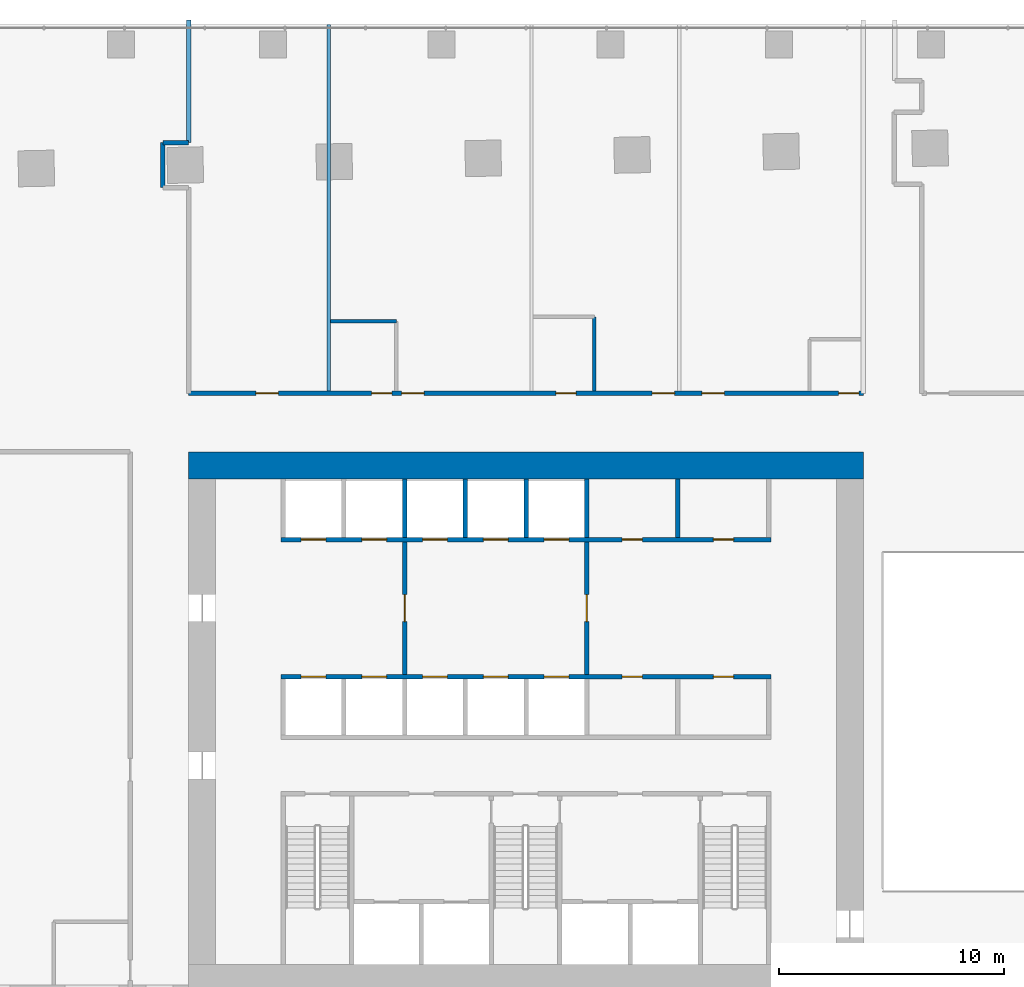
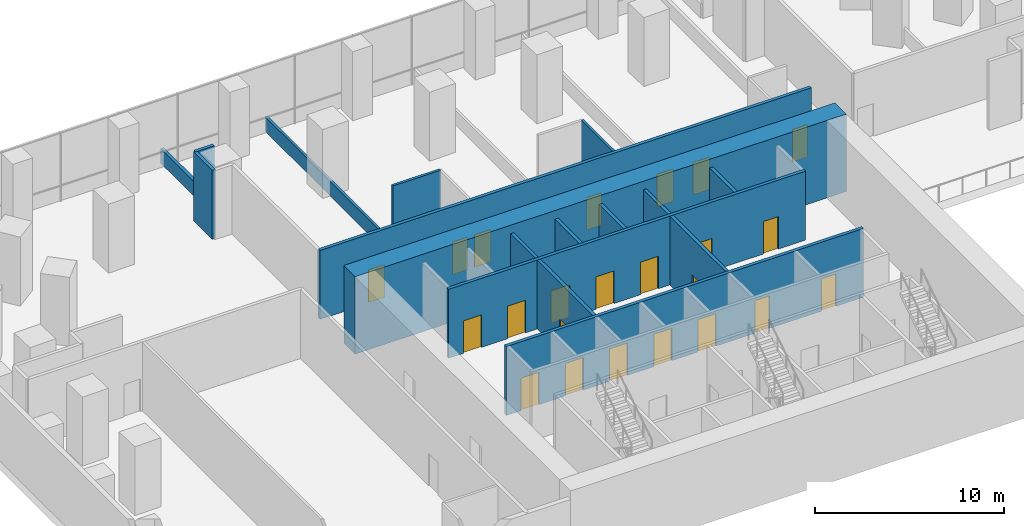
# One storey, part 8 of 12: 23 doors, 17 walls, 23 openings.
"""IFC4 building model written with IfcOpenShell, lengths in metres."""

from ifc_helpers import new_model, si_unit, direction, frame, frame_2d, origin, place, context, subcontext, project, spatial, rectangle, extrude, material, layer, layer_set, type_object, element, fill, save


model = new_model("IFC4")

# Units and contexts
model_context = context("Model", 3, precision=1e-05, world=origin(), true_north=direction((0.0, 1.0)))
body_context = subcontext(model_context, "Body", "Model", "MODEL_VIEW")
ifc_project = project(units=[si_unit("LENGTHUNIT", "METRE"), si_unit("AREAUNIT", "SQUARE_METRE"), si_unit("VOLUMEUNIT", "CUBIC_METRE"), si_unit("PLANEANGLEUNIT", "RADIAN"), si_unit("MASSUNIT", "GRAM", prefix="KILO")], contexts=[model_context])

# Site, building, storey
site_placement = place(None, origin())
site = spatial("IfcSite", under=ifc_project, at=site_placement, CompositionType="ELEMENT")
building_placement = place(site_placement, origin())
building = spatial("IfcBuilding", under=site, at=building_placement, Name="Mangrove Gate Tower", CompositionType="ELEMENT")
storey_placement = place(building_placement, frame((0.0, 0.0, 11.0)))
storey = spatial("IfcBuildingStorey", under=building, at=storey_placement, Name="L02", CompositionType="ELEMENT", Elevation=11.0)

# Wall, opening, door
ifc_material_1 = material(Name="Concrete C32/40", Category="concrete")
ifc_layer_1 = layer(ifc_material_1, 0.199951171875)
ifc_layer_set_1 = layer_set([ifc_layer_1], Name="Core lobby wall 200 C32/40")
wall_type_1 = type_object("IfcWallType", Name="Core lobby wall 200 C32/40", PredefinedType="STANDARD", material=ifc_layer_set_1)
wall_1_placement = place(storey_placement, frame((-5.39990234375, 2.10009765625, 0.0), z_axis=(0.0, 0.0, 1.0), x_axis=(0.0, 1.0, 0.0)))
wall_1 = element("IfcWall", 1, at=wall_1_placement, inside=storey, type_object=wall_type_1, Name="WALL-L02-CORE-35", PredefinedType="STANDARD", context=body_context, shape_type="SweptSolid", body=[
    extrude(rectangle(XDim=5.89990234375, YDim=0.199951171875, at=frame_2d((2.949951171875, 0.0))), origin(), (0.0, 0.0, 1.0), 4.449951171875),
])
opening_1_placement = place(wall_1_placement, frame((2.35009765625, 0.0, 0.0)))
opening_1 = element("IfcOpeningElement", 2, at=opening_1_placement, cuts=wall_1, Name="Opening FL12", PredefinedType="OPENING", context=body_context, shape_type="SweptSolid", body=[
    extrude(rectangle(XDim=1.199951171875, YDim=2.10009765625, at=frame_2d((0.60009765625, 1.050048828125))), frame((0.0, 0.10986328125, 0.0), z_axis=(0.0, -1.0, 0.0), x_axis=(1.0, 0.0, 0.0)), (0.0, 0.0, 1.0), 0.219970703125),
])
ifc_material_2 = material(Name="Fire-rated steel door set", Category="steel")
door_type_1 = type_object("IfcDoorType", Name="Lobby door FD60 1200x2100", OperationType="SINGLE_SWING_LEFT", PredefinedType="DOOR", material=ifc_material_2)
door_1_placement = place(opening_1_placement, origin())
door_1 = element("IfcDoor", 3, at=door_1_placement, inside=storey, type_object=door_type_1, Name="Lobby door lift lobby partition", OperationType="SINGLE_SWING_LEFT", OverallHeight=2.10009765625, OverallWidth=1.199951171875, PredefinedType="DOOR", context=body_context, shape_type="SweptSolid", body=[
    extrude(rectangle(XDim=1.199951171875, YDim=2.10009765625, at=frame_2d((0.60009765625, 1.050048828125))), frame((0.0, 0.02490234375, 0.0), z_axis=(0.0, -1.0, 0.0), x_axis=(1.0, 0.0, 0.0)), (0.0, 0.0, 1.0), 0.050048828125),
])
fill(opening_1, door_1)

wall_2_placement = place(storey_placement, frame((2.699951171875, 2.10009765625, 0.0), z_axis=(0.0, 0.0, 1.0), x_axis=(0.0, 1.0, 0.0)))
wall_2 = element("IfcWall", 4, at=wall_2_placement, inside=storey, type_object=wall_type_1, Name="WALL-L02-CORE-36", PredefinedType="STANDARD", context=body_context, shape_type="SweptSolid", body=[
    extrude(rectangle(XDim=5.89990234375, YDim=0.199951171875, at=frame_2d((2.949951171875, 0.0))), origin(), (0.0, 0.0, 1.0), 4.449951171875),
])
opening_2_placement = place(wall_2_placement, frame((2.35009765625, 0.0, 0.0)))
opening_2 = element("IfcOpeningElement", 5, at=opening_2_placement, cuts=wall_2, Name="Opening FL12", PredefinedType="OPENING", context=body_context, shape_type="SweptSolid", body=[
    extrude(rectangle(XDim=1.199951171875, YDim=2.10009765625, at=frame_2d((0.60009765625, 1.050048828125))), frame((0.0, 0.10986328125, 0.0), z_axis=(0.0, -1.0, 0.0), x_axis=(1.0, 0.0, 0.0)), (0.0, 0.0, 1.0), 0.219970703125),
])
door_2_placement = place(opening_2_placement, origin())
door_2 = element("IfcDoor", 6, at=door_2_placement, inside=storey, type_object=door_type_1, Name="Lobby door lift lobby partition", OperationType="SINGLE_SWING_LEFT", OverallHeight=2.10009765625, OverallWidth=1.199951171875, PredefinedType="DOOR", context=body_context, shape_type="SweptSolid", body=[
    extrude(rectangle(XDim=1.199951171875, YDim=2.10009765625, at=frame_2d((0.60009765625, 1.050048828125))), frame((0.0, 0.02490234375, 0.0), z_axis=(0.0, -1.0, 0.0), x_axis=(1.0, 0.0, 0.0)), (0.0, 0.0, 1.0), 0.050048828125),
])
fill(opening_2, door_2)

# Wall
ifc_material_3 = material(Name="Concrete C32/40", Category="concrete")
ifc_layer_2 = layer(ifc_material_3, 0.199951171875)
ifc_layer_set_2 = layer_set([ifc_layer_2], Name="Core room wall 200 C32/40")
wall_type_2 = type_object("IfcWallType", Name="Core room wall 200 C32/40", PredefinedType="STANDARD", material=ifc_layer_set_2)
wall_3_placement = place(storey_placement, frame((6.75, 8.199951171875, 0.0), z_axis=(0.0, 0.0, 1.0), x_axis=(0.0, 1.0, 0.0)))
element("IfcWall", 7, at=wall_3_placement, inside=storey, type_object=wall_type_2, Name="WALL-L02-CORE-33", PredefinedType="STANDARD", context=body_context, shape_type="SweptSolid", body=[
    extrude(rectangle(XDim=2.60009765625, YDim=0.199951171875, at=frame_2d((1.300048828125, 0.0))), origin(), (0.0, 0.0, 1.0), 4.449951171875),
])

# Wall, openings, doors
ifc_material_4 = material(Name="Concrete C70/85", Category="concrete")
ifc_layer_3 = layer(ifc_material_4, 0.199951171875)
ifc_layer_set_3 = layer_set([ifc_layer_3], Name="Core shaft wall 200 C70/85")
wall_type_3 = type_object("IfcWallType", Name="Core shaft wall 200 C70/85", PredefinedType="SHEAR", material=ifc_layer_set_3)
wall_4_placement = place(storey_placement, frame((-10.89990234375, 2.0, 0.0), z_axis=(0.0, 0.0, 1.0), x_axis=(1.0, 0.0, 0.0)))
wall_4 = element("IfcWall", 8, at=wall_4_placement, inside=storey, type_object=wall_type_3, Name="WALL-L02-CORE-7", PredefinedType="SHEAR", context=body_context, shape_type="SweptSolid", body=[
    extrude(rectangle(XDim=21.7998046875, YDim=0.199951171875, at=frame_2d((10.89990234375, 0.0))), origin(), (0.0, 0.0, 1.0), 4.449951171875),
])
opening_3_placement = place(wall_4_placement, frame((0.89990234375, 0.0, 0.0)))
opening_3 = element("IfcOpeningElement", 9, at=opening_3_placement, cuts=wall_4, Name="Opening LD", PredefinedType="OPENING", context=body_context, shape_type="SweptSolid", body=[
    extrude(rectangle(XDim=1.10009765625, YDim=2.10009765625, at=frame_2d((0.550048828125, 1.050048828125))), frame((0.0, 0.10986328125, 0.0), z_axis=(0.0, -1.0, 0.0), x_axis=(1.0, 0.0, 0.0)), (0.0, 0.0, 1.0), 0.219970703125),
])
opening_4_placement = place(wall_4_placement, frame((3.60009765625, 0.0, 0.0)))
opening_4 = element("IfcOpeningElement", 10, at=opening_4_placement, cuts=wall_4, Name="Opening LD", PredefinedType="OPENING", context=body_context, shape_type="SweptSolid", body=[
    extrude(rectangle(XDim=1.10009765625, YDim=2.10009765625, at=frame_2d((0.550048828125, 1.050048828125))), frame((0.0, 0.10986328125, 0.0), z_axis=(0.0, -1.0, 0.0), x_axis=(1.0, 0.0, 0.0)), (0.0, 0.0, 1.0), 0.219970703125),
])
opening_5_placement = place(wall_4_placement, frame((6.300048828125, 0.0, 0.0)))
opening_5 = element("IfcOpeningElement", 11, at=opening_5_placement, cuts=wall_4, Name="Opening LD", PredefinedType="OPENING", context=body_context, shape_type="SweptSolid", body=[
    extrude(rectangle(XDim=1.10009765625, YDim=2.10009765625, at=frame_2d((0.550048828125, 1.050048828125))), frame((0.0, 0.10986328125, 0.0), z_axis=(0.0, -1.0, 0.0), x_axis=(1.0, 0.0, 0.0)), (0.0, 0.0, 1.0), 0.219970703125),
])
opening_6_placement = place(wall_4_placement, frame((9.0, 0.0, 0.0)))
opening_6 = element("IfcOpeningElement", 12, at=opening_6_placement, cuts=wall_4, Name="Opening LD", PredefinedType="OPENING", context=body_context, shape_type="SweptSolid", body=[
    extrude(rectangle(XDim=1.10009765625, YDim=2.10009765625, at=frame_2d((0.550048828125, 1.050048828125))), frame((0.0, 0.10986328125, 0.0), z_axis=(0.0, -1.0, 0.0), x_axis=(1.0, 0.0, 0.0)), (0.0, 0.0, 1.0), 0.219970703125),
])
opening_7_placement = place(wall_4_placement, frame((11.699951171875, 0.0, 0.0)))
opening_7 = element("IfcOpeningElement", 13, at=opening_7_placement, cuts=wall_4, Name="Opening LD", PredefinedType="OPENING", context=body_context, shape_type="SweptSolid", body=[
    extrude(rectangle(XDim=1.10009765625, YDim=2.10009765625, at=frame_2d((0.550048828125, 1.050048828125))), frame((0.0, 0.10986328125, 0.0), z_axis=(0.0, -1.0, 0.0), x_axis=(1.0, 0.0, 0.0)), (0.0, 0.0, 1.0), 0.219970703125),
])
opening_8_placement = place(wall_4_placement, frame((15.175048828125, 0.0, 0.0)))
opening_8 = element("IfcOpeningElement", 14, at=opening_8_placement, cuts=wall_4, Name="Opening KD", PredefinedType="OPENING", context=body_context, shape_type="SweptSolid", body=[
    extrude(rectangle(XDim=0.89990234375, YDim=2.10009765625, at=frame_2d((0.449951171875, 1.050048828125))), frame((0.0, 0.10986328125, 0.0), z_axis=(0.0, -1.0, 0.0), x_axis=(1.0, 0.0, 0.0)), (0.0, 0.0, 1.0), 0.219970703125),
])
opening_9_placement = place(wall_4_placement, frame((19.22509765625, 0.0, 0.0)))
opening_9 = element("IfcOpeningElement", 15, at=opening_9_placement, cuts=wall_4, Name="Opening KD", PredefinedType="OPENING", context=body_context, shape_type="SweptSolid", body=[
    extrude(rectangle(XDim=0.89990234375, YDim=2.10009765625, at=frame_2d((0.449951171875, 1.050048828125))), frame((0.0, 0.10986328125, 0.0), z_axis=(0.0, -1.0, 0.0), x_axis=(1.0, 0.0, 0.0)), (0.0, 0.0, 1.0), 0.219970703125),
])
ifc_material_5 = material(Name="Fire-rated steel door set", Category="steel")
door_type_2 = type_object("IfcDoorType", Name="Core room door FD30S 900x2100", OperationType="SINGLE_SWING_RIGHT", PredefinedType="DOOR", material=ifc_material_5)
door_3_placement = place(opening_8_placement, origin())
door_3 = element("IfcDoor", 16, at=door_3_placement, inside=storey, type_object=door_type_2, Name="Core room door Cleaner's store", OperationType="SINGLE_SWING_RIGHT", OverallHeight=2.10009765625, OverallWidth=0.89990234375, PredefinedType="DOOR", context=body_context, shape_type="SweptSolid", body=[
    extrude(rectangle(XDim=0.89990234375, YDim=2.10009765625, at=frame_2d((0.449951171875, 1.050048828125))), frame((0.0, 0.02490234375, 0.0), z_axis=(0.0, -1.0, 0.0), x_axis=(1.0, 0.0, 0.0)), (0.0, 0.0, 1.0), 0.050048828125),
])
fill(opening_8, door_3)
door_4_placement = place(opening_9_placement, origin())
door_4 = element("IfcDoor", 17, at=door_4_placement, inside=storey, type_object=door_type_2, Name="Core room door Refuse store", OperationType="SINGLE_SWING_RIGHT", OverallHeight=2.10009765625, OverallWidth=0.89990234375, PredefinedType="DOOR", context=body_context, shape_type="SweptSolid", body=[
    extrude(rectangle(XDim=0.89990234375, YDim=2.10009765625, at=frame_2d((0.449951171875, 1.050048828125))), frame((0.0, 0.02490234375, 0.0), z_axis=(0.0, -1.0, 0.0), x_axis=(1.0, 0.0, 0.0)), (0.0, 0.0, 1.0), 0.050048828125),
])
fill(opening_9, door_4)
ifc_material_6 = material(Name="Stainless steel 316", Category="steel")
door_type_3 = type_object("IfcDoorType", Name="Lift landing door 1100x2100", OperationType="SLIDING_TO_LEFT", PredefinedType="DOOR", material=ifc_material_6)
door_5_placement = place(opening_3_placement, origin())
door_5 = element("IfcDoor", 18, at=door_5_placement, inside=storey, type_object=door_type_3, Name="Landing door LD P01", OperationType="SLIDING_TO_LEFT", OverallHeight=2.10009765625, OverallWidth=1.10009765625, PredefinedType="DOOR", context=body_context, shape_type="SweptSolid", body=[
    extrude(rectangle(XDim=1.10009765625, YDim=2.10009765625, at=frame_2d((0.550048828125, 1.050048828125))), frame((0.0, 0.02490234375, 0.0), z_axis=(0.0, -1.0, 0.0), x_axis=(1.0, 0.0, 0.0)), (0.0, 0.0, 1.0), 0.050048828125),
])
fill(opening_3, door_5)
door_6_placement = place(opening_4_placement, origin())
door_6 = element("IfcDoor", 19, at=door_6_placement, inside=storey, type_object=door_type_3, Name="Landing door LD P02", OperationType="SLIDING_TO_LEFT", OverallHeight=2.10009765625, OverallWidth=1.10009765625, PredefinedType="DOOR", context=body_context, shape_type="SweptSolid", body=[
    extrude(rectangle(XDim=1.10009765625, YDim=2.10009765625, at=frame_2d((0.550048828125, 1.050048828125))), frame((0.0, 0.02490234375, 0.0), z_axis=(0.0, -1.0, 0.0), x_axis=(1.0, 0.0, 0.0)), (0.0, 0.0, 1.0), 0.050048828125),
])
fill(opening_4, door_6)
door_7_placement = place(opening_5_placement, origin())
door_7 = element("IfcDoor", 20, at=door_7_placement, inside=storey, type_object=door_type_3, Name="Landing door LD P03", OperationType="SLIDING_TO_LEFT", OverallHeight=2.10009765625, OverallWidth=1.10009765625, PredefinedType="DOOR", context=body_context, shape_type="SweptSolid", body=[
    extrude(rectangle(XDim=1.10009765625, YDim=2.10009765625, at=frame_2d((0.550048828125, 1.050048828125))), frame((0.0, 0.02490234375, 0.0), z_axis=(0.0, -1.0, 0.0), x_axis=(1.0, 0.0, 0.0)), (0.0, 0.0, 1.0), 0.050048828125),
])
fill(opening_5, door_7)
door_8_placement = place(opening_6_placement, origin())
door_8 = element("IfcDoor", 21, at=door_8_placement, inside=storey, type_object=door_type_3, Name="Landing door LD P04", OperationType="SLIDING_TO_LEFT", OverallHeight=2.10009765625, OverallWidth=1.10009765625, PredefinedType="DOOR", context=body_context, shape_type="SweptSolid", body=[
    extrude(rectangle(XDim=1.10009765625, YDim=2.10009765625, at=frame_2d((0.550048828125, 1.050048828125))), frame((0.0, 0.02490234375, 0.0), z_axis=(0.0, -1.0, 0.0), x_axis=(1.0, 0.0, 0.0)), (0.0, 0.0, 1.0), 0.050048828125),
])
fill(opening_6, door_8)
door_9_placement = place(opening_7_placement, origin())
door_9 = element("IfcDoor", 22, at=door_9_placement, inside=storey, type_object=door_type_3, Name="Landing door LD P05", OperationType="SLIDING_TO_LEFT", OverallHeight=2.10009765625, OverallWidth=1.10009765625, PredefinedType="DOOR", context=body_context, shape_type="SweptSolid", body=[
    extrude(rectangle(XDim=1.10009765625, YDim=2.10009765625, at=frame_2d((0.550048828125, 1.050048828125))), frame((0.0, 0.02490234375, 0.0), z_axis=(0.0, -1.0, 0.0), x_axis=(1.0, 0.0, 0.0)), (0.0, 0.0, 1.0), 0.050048828125),
])
fill(opening_7, door_9)

wall_5_placement = place(storey_placement, frame((-10.89990234375, 8.10009765625, 0.0), z_axis=(0.0, 0.0, 1.0), x_axis=(1.0, 0.0, 0.0)))
wall_5 = element("IfcWall", 23, at=wall_5_placement, inside=storey, type_object=wall_type_3, Name="WALL-L02-CORE-8", PredefinedType="SHEAR", context=body_context, shape_type="SweptSolid", body=[
    extrude(rectangle(XDim=21.7998046875, YDim=0.199951171875, at=frame_2d((10.89990234375, 0.0))), origin(), (0.0, 0.0, 1.0), 4.449951171875),
])
opening_10_placement = place(wall_5_placement, frame((0.89990234375, 0.0, 0.0)))
opening_10 = element("IfcOpeningElement", 24, at=opening_10_placement, cuts=wall_5, Name="Opening LD", PredefinedType="OPENING", context=body_context, shape_type="SweptSolid", body=[
    extrude(rectangle(XDim=1.10009765625, YDim=2.10009765625, at=frame_2d((0.550048828125, 1.050048828125))), frame((0.0, 0.10986328125, 0.0), z_axis=(0.0, -1.0, 0.0), x_axis=(1.0, 0.0, 0.0)), (0.0, 0.0, 1.0), 0.219970703125),
])
opening_11_placement = place(wall_5_placement, frame((3.60009765625, 0.0, 0.0)))
opening_11 = element("IfcOpeningElement", 25, at=opening_11_placement, cuts=wall_5, Name="Opening LD", PredefinedType="OPENING", context=body_context, shape_type="SweptSolid", body=[
    extrude(rectangle(XDim=1.10009765625, YDim=2.10009765625, at=frame_2d((0.550048828125, 1.050048828125))), frame((0.0, 0.10986328125, 0.0), z_axis=(0.0, -1.0, 0.0), x_axis=(1.0, 0.0, 0.0)), (0.0, 0.0, 1.0), 0.219970703125),
])
opening_12_placement = place(wall_5_placement, frame((6.300048828125, 0.0, 0.0)))
opening_12 = element("IfcOpeningElement", 26, at=opening_12_placement, cuts=wall_5, Name="Opening LD", PredefinedType="OPENING", context=body_context, shape_type="SweptSolid", body=[
    extrude(rectangle(XDim=1.10009765625, YDim=2.10009765625, at=frame_2d((0.550048828125, 1.050048828125))), frame((0.0, 0.10986328125, 0.0), z_axis=(0.0, -1.0, 0.0), x_axis=(1.0, 0.0, 0.0)), (0.0, 0.0, 1.0), 0.219970703125),
])
opening_13_placement = place(wall_5_placement, frame((9.0, 0.0, 0.0)))
opening_13 = element("IfcOpeningElement", 27, at=opening_13_placement, cuts=wall_5, Name="Opening LD", PredefinedType="OPENING", context=body_context, shape_type="SweptSolid", body=[
    extrude(rectangle(XDim=1.10009765625, YDim=2.10009765625, at=frame_2d((0.550048828125, 1.050048828125))), frame((0.0, 0.10986328125, 0.0), z_axis=(0.0, -1.0, 0.0), x_axis=(1.0, 0.0, 0.0)), (0.0, 0.0, 1.0), 0.219970703125),
])
opening_14_placement = place(wall_5_placement, frame((11.699951171875, 0.0, 0.0)))
opening_14 = element("IfcOpeningElement", 28, at=opening_14_placement, cuts=wall_5, Name="Opening LD", PredefinedType="OPENING", context=body_context, shape_type="SweptSolid", body=[
    extrude(rectangle(XDim=1.10009765625, YDim=2.10009765625, at=frame_2d((0.550048828125, 1.050048828125))), frame((0.0, 0.10986328125, 0.0), z_axis=(0.0, -1.0, 0.0), x_axis=(1.0, 0.0, 0.0)), (0.0, 0.0, 1.0), 0.219970703125),
])
opening_15_placement = place(wall_5_placement, frame((15.175048828125, 0.0, 0.0)))
opening_15 = element("IfcOpeningElement", 29, at=opening_15_placement, cuts=wall_5, Name="Opening RD", PredefinedType="OPENING", context=body_context, shape_type="SweptSolid", body=[
    extrude(rectangle(XDim=0.89990234375, YDim=2.10009765625, at=frame_2d((0.449951171875, 1.050048828125))), frame((0.0, 0.10986328125, 0.0), z_axis=(0.0, -1.0, 0.0), x_axis=(1.0, 0.0, 0.0)), (0.0, 0.0, 1.0), 0.219970703125),
])
opening_16_placement = place(wall_5_placement, frame((19.22509765625, 0.0, 0.0)))
opening_16 = element("IfcOpeningElement", 30, at=opening_16_placement, cuts=wall_5, Name="Opening KD", PredefinedType="OPENING", context=body_context, shape_type="SweptSolid", body=[
    extrude(rectangle(XDim=0.89990234375, YDim=2.10009765625, at=frame_2d((0.449951171875, 1.050048828125))), frame((0.0, 0.10986328125, 0.0), z_axis=(0.0, -1.0, 0.0), x_axis=(1.0, 0.0, 0.0)), (0.0, 0.0, 1.0), 0.219970703125),
])
door_10_placement = place(opening_16_placement, origin())
door_10 = element("IfcDoor", 31, at=door_10_placement, inside=storey, type_object=door_type_2, Name="Core room door Linen store", OperationType="SINGLE_SWING_RIGHT", OverallHeight=2.10009765625, OverallWidth=0.89990234375, PredefinedType="DOOR", context=body_context, shape_type="SweptSolid", body=[
    extrude(rectangle(XDim=0.89990234375, YDim=2.10009765625, at=frame_2d((0.449951171875, 1.050048828125))), frame((0.0, 0.02490234375, 0.0), z_axis=(0.0, -1.0, 0.0), x_axis=(1.0, 0.0, 0.0)), (0.0, 0.0, 1.0), 0.050048828125),
])
fill(opening_16, door_10)
door_11_placement = place(opening_10_placement, origin())
door_11 = element("IfcDoor", 32, at=door_11_placement, inside=storey, type_object=door_type_3, Name="Landing door LD P06", OperationType="SLIDING_TO_LEFT", OverallHeight=2.10009765625, OverallWidth=1.10009765625, PredefinedType="DOOR", context=body_context, shape_type="SweptSolid", body=[
    extrude(rectangle(XDim=1.10009765625, YDim=2.10009765625, at=frame_2d((0.550048828125, 1.050048828125))), frame((0.0, 0.02490234375, 0.0), z_axis=(0.0, -1.0, 0.0), x_axis=(1.0, 0.0, 0.0)), (0.0, 0.0, 1.0), 0.050048828125),
])
fill(opening_10, door_11)
door_12_placement = place(opening_11_placement, origin())
door_12 = element("IfcDoor", 33, at=door_12_placement, inside=storey, type_object=door_type_3, Name="Landing door LD P07", OperationType="SLIDING_TO_LEFT", OverallHeight=2.10009765625, OverallWidth=1.10009765625, PredefinedType="DOOR", context=body_context, shape_type="SweptSolid", body=[
    extrude(rectangle(XDim=1.10009765625, YDim=2.10009765625, at=frame_2d((0.550048828125, 1.050048828125))), frame((0.0, 0.02490234375, 0.0), z_axis=(0.0, -1.0, 0.0), x_axis=(1.0, 0.0, 0.0)), (0.0, 0.0, 1.0), 0.050048828125),
])
fill(opening_11, door_12)
door_13_placement = place(opening_12_placement, origin())
door_13 = element("IfcDoor", 34, at=door_13_placement, inside=storey, type_object=door_type_3, Name="Landing door LD P08", OperationType="SLIDING_TO_LEFT", OverallHeight=2.10009765625, OverallWidth=1.10009765625, PredefinedType="DOOR", context=body_context, shape_type="SweptSolid", body=[
    extrude(rectangle(XDim=1.10009765625, YDim=2.10009765625, at=frame_2d((0.550048828125, 1.050048828125))), frame((0.0, 0.02490234375, 0.0), z_axis=(0.0, -1.0, 0.0), x_axis=(1.0, 0.0, 0.0)), (0.0, 0.0, 1.0), 0.050048828125),
])
fill(opening_12, door_13)
door_14_placement = place(opening_13_placement, origin())
door_14 = element("IfcDoor", 35, at=door_14_placement, inside=storey, type_object=door_type_3, Name="Landing door LD P09", OperationType="SLIDING_TO_LEFT", OverallHeight=2.10009765625, OverallWidth=1.10009765625, PredefinedType="DOOR", context=body_context, shape_type="SweptSolid", body=[
    extrude(rectangle(XDim=1.10009765625, YDim=2.10009765625, at=frame_2d((0.550048828125, 1.050048828125))), frame((0.0, 0.02490234375, 0.0), z_axis=(0.0, -1.0, 0.0), x_axis=(1.0, 0.0, 0.0)), (0.0, 0.0, 1.0), 0.050048828125),
])
fill(opening_13, door_14)
door_15_placement = place(opening_14_placement, origin())
door_15 = element("IfcDoor", 36, at=door_15_placement, inside=storey, type_object=door_type_3, Name="Landing door LD P10", OperationType="SLIDING_TO_LEFT", OverallHeight=2.10009765625, OverallWidth=1.10009765625, PredefinedType="DOOR", context=body_context, shape_type="SweptSolid", body=[
    extrude(rectangle(XDim=1.10009765625, YDim=2.10009765625, at=frame_2d((0.550048828125, 1.050048828125))), frame((0.0, 0.02490234375, 0.0), z_axis=(0.0, -1.0, 0.0), x_axis=(1.0, 0.0, 0.0)), (0.0, 0.0, 1.0), 0.050048828125),
])
fill(opening_14, door_15)
ifc_material_7 = material(Name="Fire-rated steel door set", Category="steel")
door_type_4 = type_object("IfcDoorType", Name="Riser door FD30S 900x2100", OperationType="SINGLE_SWING_LEFT", PredefinedType="DOOR", material=ifc_material_7)
door_16_placement = place(opening_15_placement, origin())
door_16 = element("IfcDoor", 37, at=door_16_placement, inside=storey, type_object=door_type_4, Name="Riser door Electrical room", OperationType="SINGLE_SWING_LEFT", OverallHeight=2.10009765625, OverallWidth=0.89990234375, PredefinedType="DOOR", context=body_context, shape_type="SweptSolid", body=[
    extrude(rectangle(XDim=0.89990234375, YDim=2.10009765625, at=frame_2d((0.449951171875, 1.050048828125))), frame((0.0, 0.02490234375, 0.0), z_axis=(0.0, -1.0, 0.0), x_axis=(1.0, 0.0, 0.0)), (0.0, 0.0, 1.0), 0.050048828125),
])
fill(opening_15, door_16)

# Walls
for number, where, z_axis, x_axis, name in (
    (38, (-5.39990234375, 8.199951171875, 0.0), (0.0, 0.0, 1.0), (0.0, 1.0, 0.0), "WALL-L02-CORE-29"),
    (39, (-2.699951171875, 8.199951171875, 0.0), (0.0, 0.0, 1.0), (0.0, 1.0, 0.0), "WALL-L02-CORE-30"),
    (40, (0.0, 8.199951171875, 0.0), (0.0, 0.0, 1.0), (0.0, 1.0, 0.0), "WALL-L02-CORE-31"),
    (41, (2.699951171875, 8.199951171875, 0.0), (0.0, 0.0, 1.0), (0.0, 1.0, 0.0), "WALL-L02-CORE-32"),
):
    element("IfcWall", number, at=place(storey_placement, frame(where, z_axis=z_axis, x_axis=x_axis)), inside=storey, type_object=wall_type_3, Name=name, PredefinedType="SHEAR", context=body_context, shape_type="SweptSolid", body=[
        extrude(rectangle(XDim=2.60009765625, YDim=0.199951171875, at=frame_2d((1.300048828125, 0.0))), origin(), (0.0, 0.0, 1.0), 4.449951171875),
    ])
ifc_material_8 = material(Name="Concrete C70/85", Category="concrete")
ifc_layer_4 = layer(ifc_material_8, 1.199951171875)
ifc_layer_set_4 = layer_set([ifc_layer_4], Name="Core wall 1200 C70/85")
wall_type_4 = type_object("IfcWallType", Name="Core wall 1200 C70/85", PredefinedType="SHEAR", material=ifc_layer_set_4)
wall_6_placement = place(storey_placement, frame((-15.0, 11.39990234375, 0.0), z_axis=(0.0, 0.0, 1.0), x_axis=(1.0, 0.0, 0.0)))
element("IfcWall", 42, at=wall_6_placement, inside=storey, type_object=wall_type_4, Name="WALL-L02-CORE-2", PredefinedType="SHEAR", context=body_context, shape_type="SweptSolid", body=[
    extrude(rectangle(XDim=30.0, YDim=1.199951171875, at=frame_2d((15.0, 0.0))), origin(), (0.0, 0.0, 1.0), 5.0),
])

# Wall, openings, doors
ifc_material_9 = material(Name="Gypsum board on steel stud, EI 60", Category="steel")
ifc_layer_5 = layer(ifc_material_9, 0.199951171875)
ifc_layer_set_5 = layer_set([ifc_layer_5], Name="Corridor wall EI 60")
wall_type_5 = type_object("IfcWallType", Name="Corridor wall EI 60", PredefinedType="PARTITIONING", material=ifc_layer_set_5)
wall_7_placement = place(storey_placement, frame((-15.0, 14.60009765625, 0.0), z_axis=(0.0, 0.0, 1.0), x_axis=(1.0, 0.0, 0.0)))
wall_7 = element("IfcWall", 43, at=wall_7_placement, inside=storey, type_object=wall_type_5, Name="WALL-L02-016", PredefinedType="PARTITIONING", context=body_context, shape_type="SweptSolid", body=[
    extrude(rectangle(XDim=30.0, YDim=0.199951171875, at=frame_2d((15.0, 0.0))), origin(), (0.0, 0.0, 1.0), 4.449951171875),
])
opening_17_placement = place(wall_7_placement, frame((2.98388671875, 0.0, 0.0)))
opening_17 = element("IfcOpeningElement", 44, at=opening_17_placement, cuts=wall_7, Name="Opening AD", PredefinedType="OPENING", context=body_context, shape_type="SweptSolid", body=[
    extrude(rectangle(XDim=1.0, YDim=2.10009765625, at=frame_2d((0.5, 1.050048828125))), frame((0.0, 0.10986328125, 0.0), z_axis=(0.0, -1.0, 0.0), x_axis=(1.0, 0.0, 0.0)), (0.0, 0.0, 1.0), 0.219970703125),
])
opening_18_placement = place(wall_7_placement, frame((9.472900390625, 0.0, 0.0)))
opening_18 = element("IfcOpeningElement", 45, at=opening_18_placement, cuts=wall_7, Name="Opening AD", PredefinedType="OPENING", context=body_context, shape_type="SweptSolid", body=[
    extrude(rectangle(XDim=1.0, YDim=2.10009765625, at=frame_2d((0.5, 1.050048828125))), frame((0.0, 0.10986328125, 0.0), z_axis=(0.0, -1.0, 0.0), x_axis=(1.0, 0.0, 0.0)), (0.0, 0.0, 1.0), 0.219970703125),
])
opening_19_placement = place(wall_7_placement, frame((8.1298828125, 0.0, 0.0)))
opening_19 = element("IfcOpeningElement", 46, at=opening_19_placement, cuts=wall_7, Name="Opening SD", PredefinedType="OPENING", context=body_context, shape_type="SweptSolid", body=[
    extrude(rectangle(XDim=0.89990234375, YDim=2.10009765625, at=frame_2d((0.449951171875, 1.050048828125))), frame((0.0, 0.10986328125, 0.0), z_axis=(0.0, -1.0, 0.0), x_axis=(1.0, 0.0, 0.0)), (0.0, 0.0, 1.0), 0.219970703125),
])
opening_20_placement = place(wall_7_placement, frame((20.610107421875, 0.0, 0.0)))
opening_20 = element("IfcOpeningElement", 47, at=opening_20_placement, cuts=wall_7, Name="Opening AD", PredefinedType="OPENING", context=body_context, shape_type="SweptSolid", body=[
    extrude(rectangle(XDim=1.0, YDim=2.10009765625, at=frame_2d((0.5, 1.050048828125))), frame((0.0, 0.10986328125, 0.0), z_axis=(0.0, -1.0, 0.0), x_axis=(1.0, 0.0, 0.0)), (0.0, 0.0, 1.0), 0.219970703125),
])
opening_21_placement = place(wall_7_placement, frame((16.322998046875, 0.0, 0.0)))
opening_21 = element("IfcOpeningElement", 48, at=opening_21_placement, cuts=wall_7, Name="Opening SD", PredefinedType="OPENING", context=body_context, shape_type="SweptSolid", body=[
    extrude(rectangle(XDim=0.89990234375, YDim=2.10009765625, at=frame_2d((0.449951171875, 1.050048828125))), frame((0.0, 0.10986328125, 0.0), z_axis=(0.0, -1.0, 0.0), x_axis=(1.0, 0.0, 0.0)), (0.0, 0.0, 1.0), 0.219970703125),
])
opening_22_placement = place(wall_7_placement, frame((22.81591796875, 0.0, 0.0)))
opening_22 = element("IfcOpeningElement", 49, at=opening_22_placement, cuts=wall_7, Name="Opening AD", PredefinedType="OPENING", context=body_context, shape_type="SweptSolid", body=[
    extrude(rectangle(XDim=1.0, YDim=2.10009765625, at=frame_2d((0.5, 1.050048828125))), frame((0.0, 0.10986328125, 0.0), z_axis=(0.0, -1.0, 0.0), x_axis=(1.0, 0.0, 0.0)), (0.0, 0.0, 1.0), 0.219970703125),
])
opening_23_placement = place(wall_7_placement, frame((28.89990234375, 0.0, 0.0)))
opening_23 = element("IfcOpeningElement", 50, at=opening_23_placement, cuts=wall_7, Name="Opening SD", PredefinedType="OPENING", context=body_context, shape_type="SweptSolid", body=[
    extrude(rectangle(XDim=0.89990234375, YDim=2.10009765625, at=frame_2d((0.449951171875, 1.050048828125))), frame((0.0, 0.10986328125, 0.0), z_axis=(0.0, -1.0, 0.0), x_axis=(1.0, 0.0, 0.0)), (0.0, 0.0, 1.0), 0.219970703125),
])
ifc_material_10 = material(Name="Timber door leaf", Category="wood")
door_type_5 = type_object("IfcDoorType", Name="Amenity door 1000", OperationType="SINGLE_SWING_LEFT", PredefinedType="DOOR", material=ifc_material_10)
door_17_placement = place(opening_17_placement, origin())
door_17 = element("IfcDoor", 51, at=door_17_placement, inside=storey, type_object=door_type_5, Name="DOOR-L02-POD-04", OperationType="SINGLE_SWING_RIGHT", OverallHeight=2.10009765625, OverallWidth=1.0, PredefinedType="DOOR", context=body_context, shape_type="SweptSolid", body=[
    extrude(rectangle(XDim=1.0, YDim=2.10009765625, at=frame_2d((0.5, 1.050048828125))), frame((0.0, 0.02490234375, 0.0), z_axis=(0.0, -1.0, 0.0), x_axis=(1.0, 0.0, 0.0)), (0.0, 0.0, 1.0), 0.050048828125),
])
fill(opening_17, door_17)
door_18_placement = place(opening_18_placement, origin())
door_18 = element("IfcDoor", 52, at=door_18_placement, inside=storey, type_object=door_type_5, Name="DOOR-L02-POD-05", OperationType="SINGLE_SWING_LEFT", OverallHeight=2.10009765625, OverallWidth=1.0, PredefinedType="DOOR", context=body_context, shape_type="SweptSolid", body=[
    extrude(rectangle(XDim=1.0, YDim=2.10009765625, at=frame_2d((0.5, 1.050048828125))), frame((0.0, 0.02490234375, 0.0), z_axis=(0.0, -1.0, 0.0), x_axis=(1.0, 0.0, 0.0)), (0.0, 0.0, 1.0), 0.050048828125),
])
fill(opening_18, door_18)
door_19_placement = place(opening_20_placement, origin())
door_19 = element("IfcDoor", 53, at=door_19_placement, inside=storey, type_object=door_type_5, Name="DOOR-L02-POD-06", OperationType="SINGLE_SWING_RIGHT", OverallHeight=2.10009765625, OverallWidth=1.0, PredefinedType="DOOR", context=body_context, shape_type="SweptSolid", body=[
    extrude(rectangle(XDim=1.0, YDim=2.10009765625, at=frame_2d((0.5, 1.050048828125))), frame((0.0, 0.02490234375, 0.0), z_axis=(0.0, -1.0, 0.0), x_axis=(1.0, 0.0, 0.0)), (0.0, 0.0, 1.0), 0.050048828125),
])
fill(opening_20, door_19)
door_20_placement = place(opening_22_placement, origin())
door_20 = element("IfcDoor", 54, at=door_20_placement, inside=storey, type_object=door_type_5, Name="DOOR-L02-POD-07", OperationType="SINGLE_SWING_LEFT", OverallHeight=2.10009765625, OverallWidth=1.0, PredefinedType="DOOR", context=body_context, shape_type="SweptSolid", body=[
    extrude(rectangle(XDim=1.0, YDim=2.10009765625, at=frame_2d((0.5, 1.050048828125))), frame((0.0, 0.02490234375, 0.0), z_axis=(0.0, -1.0, 0.0), x_axis=(1.0, 0.0, 0.0)), (0.0, 0.0, 1.0), 0.050048828125),
])
fill(opening_22, door_20)
ifc_material_11 = material(Name="Timber door leaf", Category="wood")
door_type_6 = type_object("IfcDoorType", Name="Service room door 900", OperationType="SINGLE_SWING_LEFT", PredefinedType="DOOR", material=ifc_material_11)
door_21_placement = place(opening_19_placement, origin())
door_21 = element("IfcDoor", 55, at=door_21_placement, inside=storey, type_object=door_type_6, Name="DOOR-L02-PSV-05", OperationType="SINGLE_SWING_RIGHT", OverallHeight=2.10009765625, OverallWidth=0.89990234375, PredefinedType="DOOR", context=body_context, shape_type="SweptSolid", body=[
    extrude(rectangle(XDim=0.89990234375, YDim=2.10009765625, at=frame_2d((0.449951171875, 1.050048828125))), frame((0.0, 0.02490234375, 0.0), z_axis=(0.0, -1.0, 0.0), x_axis=(1.0, 0.0, 0.0)), (0.0, 0.0, 1.0), 0.050048828125),
])
fill(opening_19, door_21)
door_22_placement = place(opening_21_placement, origin())
door_22 = element("IfcDoor", 56, at=door_22_placement, inside=storey, type_object=door_type_6, Name="DOOR-L02-PSV-06", OperationType="SINGLE_SWING_LEFT", OverallHeight=2.10009765625, OverallWidth=0.89990234375, PredefinedType="DOOR", context=body_context, shape_type="SweptSolid", body=[
    extrude(rectangle(XDim=0.89990234375, YDim=2.10009765625, at=frame_2d((0.449951171875, 1.050048828125))), frame((0.0, 0.02490234375, 0.0), z_axis=(0.0, -1.0, 0.0), x_axis=(1.0, 0.0, 0.0)), (0.0, 0.0, 1.0), 0.050048828125),
])
fill(opening_21, door_22)
door_23_placement = place(opening_23_placement, origin())
door_23 = element("IfcDoor", 57, at=door_23_placement, inside=storey, type_object=door_type_6, Name="DOOR-L02-PSV-07", OperationType="SINGLE_SWING_RIGHT", OverallHeight=2.10009765625, OverallWidth=0.89990234375, PredefinedType="DOOR", context=body_context, shape_type="SweptSolid", body=[
    extrude(rectangle(XDim=0.89990234375, YDim=2.10009765625, at=frame_2d((0.449951171875, 1.050048828125))), frame((0.0, 0.02490234375, 0.0), z_axis=(0.0, -1.0, 0.0), x_axis=(1.0, 0.0, 0.0)), (0.0, 0.0, 1.0), 0.050048828125),
])
fill(opening_23, door_23)

# Walls
wall_8_placement = place(storey_placement, frame((-16.14990234375, 23.7490234375, 0.0), z_axis=(0.0, 0.0, 1.0), x_axis=(0.0, 1.0, 0.0)))
element("IfcWall", 58, at=wall_8_placement, inside=storey, type_object=wall_type_5, Name="WALL-L02-031", PredefinedType="PARTITIONING", context=body_context, shape_type="SweptSolid", body=[
    extrude(rectangle(XDim=2.0, YDim=0.199951171875, at=frame_2d((1.0, 0.0))), origin(), (0.0, 0.0, 1.0), 4.449951171875),
])
wall_9_placement = place(storey_placement, frame((-15.0, 25.7490234375, 0.0), z_axis=(0.0, 0.0, 1.0), x_axis=(0.0, 1.0, 0.0)))
element("IfcWall", 59, at=wall_9_placement, inside=storey, type_object=wall_type_5, Name="WALL-L02-035", PredefinedType="PARTITIONING", context=body_context, shape_type="SweptSolid", body=[
    extrude(rectangle(XDim=5.450927734375, YDim=0.199951171875, at=frame_2d((2.7255859375, 0.0))), origin(), (0.0, 0.0, 1.0), 0.93994140625),
])
wall_10_placement = place(storey_placement, frame((-16.153076171875, 25.75, 0.0), z_axis=(0.0, 0.0, 1.0), x_axis=(1.0, 0.0, 0.0)))
element("IfcWall", 60, at=wall_10_placement, inside=storey, type_object=wall_type_5, Name="WALL-L02-036", PredefinedType="PARTITIONING", context=body_context, shape_type="SweptSolid", body=[
    extrude(rectangle(XDim=1.153076171875, YDim=0.199951171875, at=frame_2d((0.57666015625, 0.0))), origin(), (0.0, 0.0, 1.0), 4.449951171875),
])
ifc_material_12 = material(Name="Gypsum board on steel stud, EI 60", Category="steel")
ifc_layer_6 = layer(ifc_material_12, 0.14990234375)
ifc_layer_set_6 = layer_set([ifc_layer_6], Name="Party wall 150 EI 60")
wall_type_6 = type_object("IfcWallType", Name="Party wall 150 EI 60", PredefinedType="PARTITIONING", material=ifc_layer_set_6)
wall_11_placement = place(storey_placement, frame((-8.77001953125, 14.699951171875, 0.0), z_axis=(0.0, 0.0, 1.0), x_axis=(0.0, 1.0, 0.0)))
element("IfcWall", 61, at=wall_11_placement, inside=storey, type_object=wall_type_6, Name="WALL-L02-018", PredefinedType="PARTITIONING", context=body_context, shape_type="SweptSolid", body=[
    extrude(rectangle(XDim=16.300048828125, YDim=0.14990234375, at=frame_2d((8.14990234375, 0.0))), origin(), (0.0, 0.0, 1.0), 0.93994140625),
])
wall_12_placement = place(storey_placement, frame((3.0400390625, 14.699951171875, 0.0), z_axis=(0.0, 0.0, 1.0), x_axis=(0.0, 1.0, 0.0)))
element("IfcWall", 62, at=wall_12_placement, inside=storey, type_object=wall_type_6, Name="WALL-L02-021", PredefinedType="PARTITIONING", context=body_context, shape_type="SweptSolid", body=[
    extrude(rectangle(XDim=3.300048828125, YDim=0.14990234375, at=frame_2d((1.64990234375, 0.0))), origin(), (0.0, 0.0, 1.0), 4.449951171875),
])
wall_13_placement = place(storey_placement, frame((-8.695068359375, 17.800048828125, 0.0), z_axis=(0.0, 0.0, 1.0), x_axis=(1.0, 0.0, 0.0)))
element("IfcWall", 63, at=wall_13_placement, inside=storey, type_object=wall_type_6, Name="WALL-L02-029", PredefinedType="PARTITIONING", context=body_context, shape_type="SweptSolid", body=[
    extrude(rectangle(XDim=2.925048828125, YDim=0.14990234375, at=frame_2d((1.46240234375, 0.0))), origin(), (0.0, 0.0, 1.0), 4.449951171875),
])

save(model, "model.ifc")
